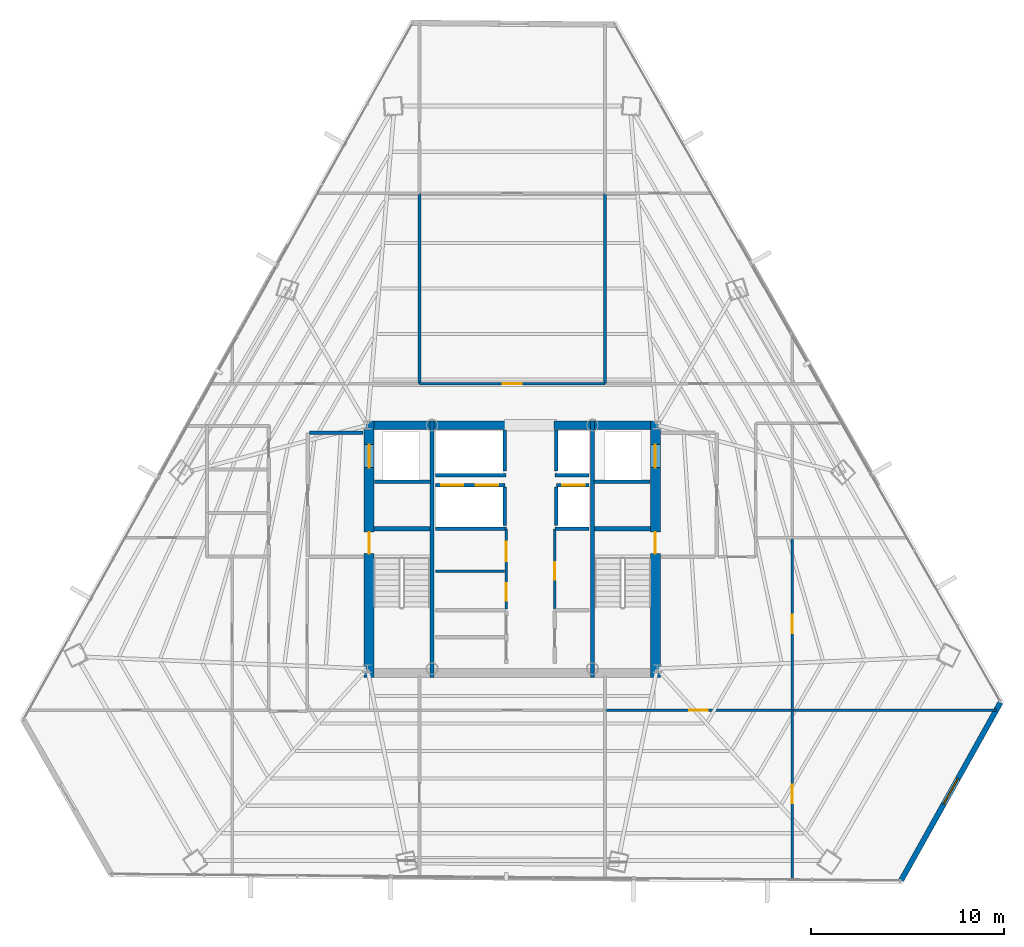
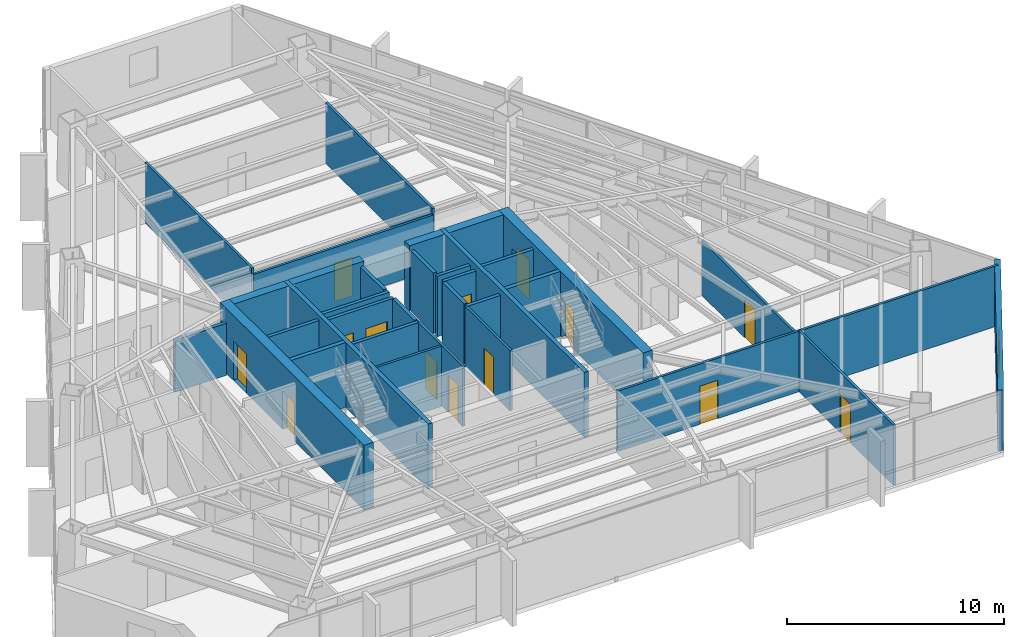
# One storey, part 34 of 38: 34 walls, 14 doors, 1 window, 15 openings.
"""IFC4 building model written with IfcOpenShell, lengths in metres."""

from ifc_helpers import new_model, si_unit, direction, frame, frame_2d, origin, place, context, subcontext, project, spatial, rectangle, extrude, material, layer, layer_set, type_object, element, fill, save


model = new_model("IFC4")

# Units and contexts
model_context = context("Model", 3, precision=1e-05, world=origin(), true_north=direction((0.0, 1.0)))
body_context = subcontext(model_context, "Body", "Model", "MODEL_VIEW")
ifc_project = project(units=[si_unit("LENGTHUNIT", "METRE"), si_unit("AREAUNIT", "SQUARE_METRE"), si_unit("VOLUMEUNIT", "CUBIC_METRE"), si_unit("PLANEANGLEUNIT", "RADIAN"), si_unit("MASSUNIT", "GRAM", prefix="KILO")], contexts=[model_context])

# Site, building, storey
site_placement = place(None, origin())
site = spatial("IfcSite", under=ifc_project, at=site_placement, CompositionType="ELEMENT")
building_placement = place(site_placement, origin())
building = spatial("IfcBuilding", under=site, at=building_placement, Name="Caelisora Broadcast Tower", CompositionType="ELEMENT")
storey_placement = place(building_placement, frame((0.0, 0.0, 158.5)))
storey = spatial("IfcBuildingStorey", under=building, at=storey_placement, Name="L41", CompositionType="ELEMENT", Elevation=158.5)

# Wall, openings, doors
ifc_material_1 = material(Name="Concrete 50 MPa (AS 3600 S50)", Category="concrete")
ifc_layer_1 = layer(ifc_material_1, 0.5, Name="Concrete 50 MPa (AS 3600 S50)")
ifc_layer_set_1 = layer_set([ifc_layer_1], Name="Concrete 50 MPa (AS 3600 S50)")
wall_type_1 = type_object("IfcWallType", Name="CW2", PredefinedType="SHEAR", material=ifc_layer_set_1)
wall_1_placement = place(storey_placement, frame((30.590087890625, 16.949951171875, 0.0), z_axis=(0.0, 0.0, 1.0), x_axis=(0.0, 1.0, 0.0)))
wall_1 = element("IfcWall", 1, at=wall_1_placement, inside=storey, type_object=wall_type_1, Name="L41 core shear wall CW2", PredefinedType="SHEAR", context=body_context, shape_type="SweptSolid", body=[
    extrude(rectangle(XDim=13.275146484375, YDim=0.5, at=frame_2d((6.6376953125, 0.0))), origin(), (0.0, 0.0, 1.0), 3.64990234375),
])
opening_1_placement = place(wall_1_placement, frame((6.39990234375, 0.0, 0.0)))
opening_1 = element("IfcOpeningElement", 2, at=opening_1_placement, cuts=wall_1, Name="Opening FD04", PredefinedType="OPENING", context=body_context, shape_type="SweptSolid", body=[
    extrude(rectangle(XDim=1.1201171875, YDim=2.14990234375, at=frame_2d((0.56005859375, 1.074951171875))), frame((0.0, 0.261962890625, 0.0), z_axis=(0.0, -1.0, 0.0), x_axis=(1.0, 0.0, 0.0)), (0.0, 0.0, 1.0), 0.52392578125),
])
opening_2_placement = place(wall_1_placement, frame((10.85009765625, 0.0, 0.0)))
opening_2 = element("IfcOpeningElement", 3, at=opening_2_placement, cuts=wall_1, Name="Opening LD04", PredefinedType="OPENING", context=body_context, shape_type="SweptSolid", body=[
    extrude(rectangle(XDim=1.199951171875, YDim=2.199951171875, at=frame_2d((0.60009765625, 1.10009765625))), frame((0.0, 0.261962890625, 0.0), z_axis=(0.0, -1.0, 0.0), x_axis=(1.0, 0.0, 0.0)), (0.0, 0.0, 1.0), 0.52392578125),
])
ifc_material_2 = material(Name="Pressurised Fire-Isolated Stair Door", Category="steel")
door_type_1 = type_object("IfcDoorType", Name="FD04", OperationType="NOTDEFINED", PredefinedType="DOOR", material=ifc_material_2)
door_1_placement = place(opening_1_placement, origin())
door_1 = element("IfcDoor", 4, at=door_1_placement, inside=storey, type_object=door_type_1, Name="L41 door FD04 (L41-DR-ST1)", OperationType="SINGLE_SWING_LEFT", OverallHeight=2.14990234375, OverallWidth=1.1201171875, PredefinedType="DOOR", context=body_context, shape_type="SweptSolid", body=[
    extrude(rectangle(XDim=1.1201171875, YDim=2.14990234375, at=frame_2d((0.56005859375, 1.074951171875))), frame((0.0, 0.02490234375, 0.0), z_axis=(0.0, -1.0, 0.0), x_axis=(1.0, 0.0, 0.0)), (0.0, 0.0, 1.0), 0.050048828125),
])
fill(opening_1, door_1)
ifc_material_3 = material(Name="Emergency Firefighting Lift Sliding Landing Door", Category="steel")
door_type_2 = type_object("IfcDoorType", Name="LD04", OperationType="NOTDEFINED", PredefinedType="DOOR", material=ifc_material_3)
door_2_placement = place(opening_2_placement, origin())
door_2 = element("IfcDoor", 5, at=door_2_placement, inside=storey, type_object=door_type_2, Name="L41 door LD04 (L41-LD-FFL1)", OperationType="SLIDING_TO_LEFT", OverallHeight=2.199951171875, OverallWidth=1.199951171875, PredefinedType="DOOR", context=body_context, shape_type="SweptSolid", body=[
    extrude(rectangle(XDim=1.199951171875, YDim=2.199951171875, at=frame_2d((0.60009765625, 1.10009765625))), frame((0.0, 0.02490234375, 0.0), z_axis=(0.0, -1.0, 0.0), x_axis=(1.0, 0.0, 0.0)), (0.0, 0.0, 1.0), 0.050048828125),
])
fill(opening_2, door_2)

wall_2_placement = place(storey_placement, frame((45.409912109375, 16.949951171875, 0.0), z_axis=(0.0, 0.0, 1.0), x_axis=(0.0, 1.0, 0.0)))
wall_2 = element("IfcWall", 6, at=wall_2_placement, inside=storey, type_object=wall_type_1, Name="L41 core shear wall CW2", PredefinedType="SHEAR", context=body_context, shape_type="SweptSolid", body=[
    extrude(rectangle(XDim=13.275146484375, YDim=0.5, at=frame_2d((6.6376953125, 0.0))), origin(), (0.0, 0.0, 1.0), 3.64990234375),
])
opening_3_placement = place(wall_2_placement, frame((6.39990234375, 0.0, 0.0)))
opening_3 = element("IfcOpeningElement", 7, at=opening_3_placement, cuts=wall_2, Name="Opening FD04", PredefinedType="OPENING", context=body_context, shape_type="SweptSolid", body=[
    extrude(rectangle(XDim=1.1201171875, YDim=2.14990234375, at=frame_2d((0.56005859375, 1.074951171875))), frame((0.0, 0.261962890625, 0.0), z_axis=(0.0, -1.0, 0.0), x_axis=(1.0, 0.0, 0.0)), (0.0, 0.0, 1.0), 0.52392578125),
])
opening_4_placement = place(wall_2_placement, frame((10.85009765625, 0.0, 0.0)))
opening_4 = element("IfcOpeningElement", 8, at=opening_4_placement, cuts=wall_2, Name="Opening LD04", PredefinedType="OPENING", context=body_context, shape_type="SweptSolid", body=[
    extrude(rectangle(XDim=1.199951171875, YDim=2.199951171875, at=frame_2d((0.60009765625, 1.10009765625))), frame((0.0, 0.261962890625, 0.0), z_axis=(0.0, -1.0, 0.0), x_axis=(1.0, 0.0, 0.0)), (0.0, 0.0, 1.0), 0.52392578125),
])
door_3_placement = place(opening_3_placement, origin())
door_3 = element("IfcDoor", 9, at=door_3_placement, inside=storey, type_object=door_type_1, Name="L41 door FD04 (L41-DR-ST2)", OperationType="SINGLE_SWING_RIGHT", OverallHeight=2.14990234375, OverallWidth=1.1201171875, PredefinedType="DOOR", context=body_context, shape_type="SweptSolid", body=[
    extrude(rectangle(XDim=1.1201171875, YDim=2.14990234375, at=frame_2d((0.56005859375, 1.074951171875))), frame((0.0, 0.02490234375, 0.0), z_axis=(0.0, -1.0, 0.0), x_axis=(1.0, 0.0, 0.0)), (0.0, 0.0, 1.0), 0.050048828125),
])
fill(opening_3, door_3)
door_4_placement = place(opening_4_placement, origin())
door_4 = element("IfcDoor", 10, at=door_4_placement, inside=storey, type_object=door_type_2, Name="L41 door LD04 (L41-LD-FFL2)", OperationType="SLIDING_TO_RIGHT", OverallHeight=2.199951171875, OverallWidth=1.199951171875, PredefinedType="DOOR", context=body_context, shape_type="SweptSolid", body=[
    extrude(rectangle(XDim=1.199951171875, YDim=2.199951171875, at=frame_2d((0.60009765625, 1.10009765625))), frame((0.0, 0.02490234375, 0.0), z_axis=(0.0, -1.0, 0.0), x_axis=(1.0, 0.0, 0.0)), (0.0, 0.0, 1.0), 0.050048828125),
])
fill(opening_4, door_4)

# Walls
ifc_layer_2 = layer(ifc_material_1, 0.449951171875, Name="Concrete 50 MPa (AS 3600 S50)")
ifc_layer_set_2 = layer_set([ifc_layer_2], Name="Concrete 50 MPa (AS 3600 S50)")
wall_type_2 = type_object("IfcWallType", Name="CW5", PredefinedType="SHEAR", material=ifc_layer_set_2)
wall_3_placement = place(storey_placement, frame((30.840087890625, 30.0, 0.0), z_axis=(0.0, 0.0, 1.0), x_axis=(1.0, 0.0, 0.0)))
element("IfcWall", 11, at=wall_3_placement, inside=storey, type_object=wall_type_2, Name="L41 core shear wall CW5", PredefinedType="SHEAR", context=body_context, shape_type="SweptSolid", body=[
    extrude(rectangle(XDim=2.89990234375, YDim=0.449951171875, at=frame_2d((1.449951171875, 0.0))), origin(), (0.0, 0.0, 1.0), 3.64990234375),
])
wall_4_placement = place(storey_placement, frame((33.9599609375, 30.0, 0.0), z_axis=(0.0, 0.0, 1.0), x_axis=(1.0, 0.0, 0.0)))
element("IfcWall", 12, at=wall_4_placement, inside=storey, type_object=wall_type_2, Name="L41 core shear wall CW5", PredefinedType="SHEAR", context=body_context, shape_type="SweptSolid", body=[
    extrude(rectangle(XDim=3.780029296875, YDim=0.449951171875, at=frame_2d((1.89013671875, 0.0))), origin(), (0.0, 0.0, 1.0), 3.64990234375),
])
wall_5_placement = place(storey_placement, frame((40.159912109375, 30.0, 0.0), z_axis=(0.0, 0.0, 1.0), x_axis=(1.0, 0.0, 0.0)))
element("IfcWall", 13, at=wall_5_placement, inside=storey, type_object=wall_type_2, Name="L41 core shear wall CW5", PredefinedType="SHEAR", context=body_context, shape_type="SweptSolid", body=[
    extrude(rectangle(XDim=1.880126953125, YDim=0.449951171875, at=frame_2d((0.93994140625, 0.0))), origin(), (0.0, 0.0, 1.0), 3.64990234375),
])
wall_6_placement = place(storey_placement, frame((42.260009765625, 30.0, 0.0), z_axis=(0.0, 0.0, 1.0), x_axis=(1.0, 0.0, 0.0)))
element("IfcWall", 14, at=wall_6_placement, inside=storey, type_object=wall_type_2, Name="L41 core shear wall CW5", PredefinedType="SHEAR", context=body_context, shape_type="SweptSolid", body=[
    extrude(rectangle(XDim=2.89990234375, YDim=0.449951171875, at=frame_2d((1.449951171875, 0.0))), origin(), (0.0, 0.0, 1.0), 3.64990234375),
])
ifc_layer_3 = layer(ifc_material_1, 0.219970703125, Name="Concrete 50 MPa (AS 3600 S50)")
ifc_layer_set_3 = layer_set([ifc_layer_3], Name="Concrete 50 MPa (AS 3600 S50)")
wall_type_3 = type_object("IfcWallType", Name="CW7", PredefinedType="SHEAR", material=ifc_layer_set_3)
for number, where, z_axis, x_axis, name in (
    (15, (33.85009765625, 16.949951171875, 0.0), (0.0, 0.0, 1.0), (0.0, 1.0, 0.0), "L41 core shear wall CW7"),
    (16, (42.14990234375, 16.949951171875, 0.0), (0.0, 0.0, 1.0), (0.0, 1.0, 0.0), "L41 core shear wall CW7"),
):
    element("IfcWall", number, at=place(storey_placement, frame(where, z_axis=z_axis, x_axis=x_axis)), inside=storey, type_object=wall_type_3, Name=name, PredefinedType="SHEAR", context=body_context, shape_type="SweptSolid", body=[
        extrude(rectangle(XDim=13.275146484375, YDim=0.219970703125, at=frame_2d((6.6376953125, 0.0))), origin(), (0.0, 0.0, 1.0), 3.64990234375),
    ])
for number, where, z_axis, x_axis, name in (
    (17, (30.840087890625, 24.639892578125, 0.0), (0.0, 0.0, 1.0), (1.0, 0.0, 0.0), "L41 core shear wall CW7"),
    (18, (42.260009765625, 24.639892578125, 0.0), (0.0, 0.0, 1.0), (1.0, 0.0, 0.0), "L41 core shear wall CW7"),
):
    element("IfcWall", number, at=place(storey_placement, frame(where, z_axis=z_axis, x_axis=x_axis)), inside=storey, type_object=wall_type_3, Name=name, PredefinedType="SHEAR", context=body_context, shape_type="SweptSolid", body=[
        extrude(rectangle(XDim=2.89990234375, YDim=0.219970703125, at=frame_2d((1.449951171875, 0.0))), origin(), (0.0, 0.0, 1.0), 3.64990234375),
    ])

# Wall, opening, window
ifc_material_4 = material(Name="Insulated Terracotta Spandrel Wall System", Category="masonry")
ifc_layer_4 = layer(ifc_material_4, 0.280029296875, Name="Insulated Terracotta Spandrel Wall System")
ifc_layer_set_4 = layer_set([ifc_layer_4], Name="Insulated Terracotta Spandrel Wall System")
wall_type_4 = type_object("IfcWallType", Name="EW1", PredefinedType="STANDARD", material=ifc_layer_set_4)
wall_7_placement = place(storey_placement, frame((63.262451171875, 15.642822265625, 0.0), z_axis=(0.0, 0.0, 1.0), x_axis=(-0.487690311743, -0.873016700775, 0.0)))
wall_7 = element("IfcWall", 19, at=wall_7_placement, inside=storey, type_object=wall_type_4, Name="L41 exterior envelope wall EW1", PredefinedType="STANDARD", context=body_context, shape_type="SweptSolid", body=[
    extrude(rectangle(XDim=10.522705078125, YDim=0.280029296875, at=frame_2d((5.26123046875, 0.0))), origin(), (0.0, 0.0, 1.0), 3.39990234375),
])
opening_5_placement = place(wall_7_placement, frame((4.510009765625, 0.0, 0.89990234375)))
opening_5 = element("IfcOpeningElement", 20, at=opening_5_placement, cuts=wall_7, Name="Opening W02", PredefinedType="OPENING", context=body_context, shape_type="SweptSolid", body=[
    extrude(rectangle(XDim=1.5, YDim=1.800048828125, at=frame_2d((0.75, 0.89990234375))), frame((0.0, 0.152099609375, 0.0), z_axis=(0.0, -1.0, 0.0), x_axis=(1.0, 0.0, 0.0)), (0.0, 0.0, 1.0), 0.303955078125),
])
ifc_material_5 = material(Name="Double Glazed Terracotta-Framed Vision Window", Category="glass")
window_type = type_object("IfcWindowType", Name="W02", PartitioningType="SINGLE_PANEL", PredefinedType="WINDOW", material=ifc_material_5)
window_placement = place(opening_5_placement, origin())
window = element("IfcWindow", 21, at=window_placement, inside=storey, type_object=window_type, Name="L41 window W02 (L41-WN-CH0)", OverallHeight=1.800048828125, OverallWidth=1.5, PartitioningType="SINGLE_PANEL", PredefinedType="WINDOW", context=body_context, shape_type="SweptSolid", body=[
    extrude(rectangle(XDim=1.5, YDim=1.800048828125, at=frame_2d((0.75, 0.89990234375))), frame((0.0, 0.030029296875, 0.0), z_axis=(0.0, -1.0, 0.0), x_axis=(1.0, 0.0, 0.0)), (0.0, 0.0, 1.0), 0.06005859375),
])
fill(opening_5, window)

# Wall, openings, doors
ifc_material_6 = material(Name="Fire-Rated Gypsum Shaft and Compartment Wall", Category="gypsum")
ifc_layer_5 = layer(ifc_material_6, 0.179931640625, Name="Fire-Rated Gypsum Shaft and Compartment Wall")
ifc_layer_set_5 = layer_set([ifc_layer_5], Name="Fire-Rated Gypsum Shaft and Compartment Wall")
wall_type_5 = type_object("IfcWallType", Name="PW2", PredefinedType="PARTITIONING", material=ifc_layer_set_5)
wall_8_placement = place(storey_placement, frame((34.02001953125, 26.89990234375, 0.0), z_axis=(0.0, 0.0, 1.0), x_axis=(1.0, 0.0, 0.0)))
wall_8 = element("IfcWall", 22, at=wall_8_placement, inside=storey, type_object=wall_type_5, Name="L41 fire compartment wall PW2", PredefinedType="PARTITIONING", context=body_context, shape_type="SweptSolid", body=[
    extrude(rectangle(XDim=3.60009765625, YDim=0.179931640625, at=frame_2d((1.800048828125, 0.0))), origin(), (0.0, 0.0, 1.0), 3.39990234375),
])
opening_6_placement = place(wall_8_placement, frame((0.300048828125, 0.0, 0.0)))
opening_6 = element("IfcOpeningElement", 23, at=opening_6_placement, cuts=wall_8, Name="Opening LD02", PredefinedType="OPENING", context=body_context, shape_type="SweptSolid", body=[
    extrude(rectangle(XDim=1.14990234375, YDim=2.199951171875, at=frame_2d((0.574951171875, 1.10009765625))), frame((0.0, 0.10205078125, 0.0), z_axis=(0.0, -1.0, 0.0), x_axis=(1.0, 0.0, 0.0)), (0.0, 0.0, 1.0), 0.203857421875),
])
opening_7_placement = place(wall_8_placement, frame((2.10009765625, 0.0, 0.0)))
opening_7 = element("IfcOpeningElement", 24, at=opening_7_placement, cuts=wall_8, Name="Opening LD02", PredefinedType="OPENING", context=body_context, shape_type="SweptSolid", body=[
    extrude(rectangle(XDim=1.14990234375, YDim=2.199951171875, at=frame_2d((0.574951171875, 1.10009765625))), frame((0.0, 0.10205078125, 0.0), z_axis=(0.0, -1.0, 0.0), x_axis=(1.0, 0.0, 0.0)), (0.0, 0.0, 1.0), 0.203857421875),
])
ifc_material_7 = material(Name="High-Speed Express Lift Sliding Landing Door", Category="steel")
door_type_3 = type_object("IfcDoorType", Name="LD02", OperationType="NOTDEFINED", PredefinedType="DOOR", material=ifc_material_7)
door_5_placement = place(opening_6_placement, origin())
door_5 = element("IfcDoor", 25, at=door_5_placement, inside=storey, type_object=door_type_3, Name="L41 door LD02 (L41-LD-PLM1)", OperationType="SLIDING_TO_LEFT", OverallHeight=2.199951171875, OverallWidth=1.14990234375, PredefinedType="DOOR", context=body_context, shape_type="SweptSolid", body=[
    extrude(rectangle(XDim=1.14990234375, YDim=2.199951171875, at=frame_2d((0.574951171875, 1.10009765625))), frame((0.0, 0.02490234375, 0.0), z_axis=(0.0, -1.0, 0.0), x_axis=(1.0, 0.0, 0.0)), (0.0, 0.0, 1.0), 0.050048828125),
])
fill(opening_6, door_5)
door_6_placement = place(opening_7_placement, origin())
door_6 = element("IfcDoor", 26, at=door_6_placement, inside=storey, type_object=door_type_3, Name="L41 door LD02 (L41-LD-PLM2)", OperationType="SLIDING_TO_RIGHT", OverallHeight=2.199951171875, OverallWidth=1.14990234375, PredefinedType="DOOR", context=body_context, shape_type="SweptSolid", body=[
    extrude(rectangle(XDim=1.14990234375, YDim=2.199951171875, at=frame_2d((0.574951171875, 1.10009765625))), frame((0.0, 0.02490234375, 0.0), z_axis=(0.0, -1.0, 0.0), x_axis=(1.0, 0.0, 0.0)), (0.0, 0.0, 1.0), 0.050048828125),
])
fill(opening_7, door_6)

# Wall, opening, door
wall_9_placement = place(storey_placement, frame((40.280029296875, 26.89990234375, 0.0), z_axis=(0.0, 0.0, 1.0), x_axis=(1.0, 0.0, 0.0)))
wall_9 = element("IfcWall", 27, at=wall_9_placement, inside=storey, type_object=wall_type_5, Name="L41 fire compartment wall PW2", PredefinedType="PARTITIONING", context=body_context, shape_type="SweptSolid", body=[
    extrude(rectangle(XDim=1.699951171875, YDim=0.179931640625, at=frame_2d((0.85009765625, 0.0))), origin(), (0.0, 0.0, 1.0), 3.39990234375),
])
opening_8_placement = place(wall_9_placement, frame((0.320068359375, 0.0, 0.0)))
opening_8 = element("IfcOpeningElement", 28, at=opening_8_placement, cuts=wall_9, Name="Opening LD02", PredefinedType="OPENING", context=body_context, shape_type="SweptSolid", body=[
    extrude(rectangle(XDim=1.14990234375, YDim=2.199951171875, at=frame_2d((0.574951171875, 1.10009765625))), frame((0.0, 0.10205078125, 0.0), z_axis=(0.0, -1.0, 0.0), x_axis=(1.0, 0.0, 0.0)), (0.0, 0.0, 1.0), 0.203857421875),
])
door_7_placement = place(opening_8_placement, origin())
door_7 = element("IfcDoor", 29, at=door_7_placement, inside=storey, type_object=door_type_3, Name="L41 door LD02 (L41-LD-PLM3)", OperationType="SLIDING_TO_LEFT", OverallHeight=2.199951171875, OverallWidth=1.14990234375, PredefinedType="DOOR", context=body_context, shape_type="SweptSolid", body=[
    extrude(rectangle(XDim=1.14990234375, YDim=2.199951171875, at=frame_2d((0.574951171875, 1.10009765625))), frame((0.0, 0.02490234375, 0.0), z_axis=(0.0, -1.0, 0.0), x_axis=(1.0, 0.0, 0.0)), (0.0, 0.0, 1.0), 0.050048828125),
])
fill(opening_8, door_7)

# Walls
for number, where, z_axis, x_axis, name in (
    (30, (37.6201171875, 24.800048828125, 0.0), (0.0, 0.0, 1.0), (0.0, 1.0, 0.0), "L41 fire compartment wall PW2"),
    (31, (40.280029296875, 24.800048828125, 0.0), (0.0, 0.0, 1.0), (0.0, 1.0, 0.0), "L41 fire compartment wall PW2"),
):
    element("IfcWall", number, at=place(storey_placement, frame(where, z_axis=z_axis, x_axis=x_axis)), inside=storey, type_object=wall_type_5, Name=name, PredefinedType="PARTITIONING", context=body_context, shape_type="SweptSolid", body=[
        extrude(rectangle(XDim=2.0, YDim=0.179931640625, at=frame_2d((1.0, 0.0))), origin(), (0.0, 0.0, 1.0), 3.39990234375),
    ])
wall_10_placement = place(storey_placement, frame((34.02001953125, 24.639892578125, 0.0), z_axis=(0.0, 0.0, 1.0), x_axis=(1.0, 0.0, 0.0)))
element("IfcWall", 32, at=wall_10_placement, inside=storey, type_object=wall_type_5, Name="L41 fire compartment wall PW2", PredefinedType="PARTITIONING", context=body_context, shape_type="SweptSolid", body=[
    extrude(rectangle(XDim=3.679931640625, YDim=0.179931640625, at=frame_2d((1.83984375, 0.0))), origin(), (0.0, 0.0, 1.0), 3.39990234375),
])
wall_11_placement = place(storey_placement, frame((40.199951171875, 24.639892578125, 0.0), z_axis=(0.0, 0.0, 1.0), x_axis=(1.0, 0.0, 0.0)))
element("IfcWall", 33, at=wall_11_placement, inside=storey, type_object=wall_type_5, Name="L41 fire compartment wall PW2", PredefinedType="PARTITIONING", context=body_context, shape_type="SweptSolid", body=[
    extrude(rectangle(XDim=1.780029296875, YDim=0.179931640625, at=frame_2d((0.89013671875, 0.0))), origin(), (0.0, 0.0, 1.0), 3.39990234375),
])
wall_12_placement = place(storey_placement, frame((34.02001953125, 27.419921875, 0.0), z_axis=(0.0, 0.0, 1.0), x_axis=(1.0, 0.0, 0.0)))
element("IfcWall", 34, at=wall_12_placement, inside=storey, type_object=wall_type_5, Name="L41 fire compartment wall PW2", PredefinedType="PARTITIONING", context=body_context, shape_type="SweptSolid", body=[
    extrude(rectangle(XDim=3.659912109375, YDim=0.179931640625, at=frame_2d((1.830078125, 0.0))), origin(), (0.0, 0.0, 1.0), 3.39990234375),
])
wall_13_placement = place(storey_placement, frame((40.219970703125, 27.419921875, 0.0), z_axis=(0.0, 0.0, 1.0), x_axis=(1.0, 0.0, 0.0)))
element("IfcWall", 35, at=wall_13_placement, inside=storey, type_object=wall_type_5, Name="L41 fire compartment wall PW2", PredefinedType="PARTITIONING", context=body_context, shape_type="SweptSolid", body=[
    extrude(rectangle(XDim=1.760009765625, YDim=0.179931640625, at=frame_2d((0.8798828125, 0.0))), origin(), (0.0, 0.0, 1.0), 3.39990234375),
])
for number, where, z_axis, x_axis, name in (
    (36, (37.6201171875, 27.639892578125, 0.0), (0.0, 0.0, 1.0), (0.0, 1.0, 0.0), "L41 fire compartment wall PW2"),
    (37, (40.280029296875, 27.639892578125, 0.0), (0.0, 0.0, 1.0), (0.0, 1.0, 0.0), "L41 fire compartment wall PW2"),
):
    element("IfcWall", number, at=place(storey_placement, frame(where, z_axis=z_axis, x_axis=x_axis)), inside=storey, type_object=wall_type_5, Name=name, PredefinedType="PARTITIONING", context=body_context, shape_type="SweptSolid", body=[
        extrude(rectangle(XDim=2.110107421875, YDim=0.179931640625, at=frame_2d((1.05517578125, 0.0))), origin(), (0.0, 0.0, 1.0), 3.39990234375),
    ])
wall_14_placement = place(storey_placement, frame((27.52001953125, 29.60009765625, 0.0), z_axis=(0.0, 0.0, 1.0), x_axis=(1.0, 0.0, 0.0)))
element("IfcWall", 38, at=wall_14_placement, inside=storey, type_object=wall_type_5, Name="L41 fire compartment wall PW2", PredefinedType="PARTITIONING", context=body_context, shape_type="SweptSolid", body=[
    extrude(rectangle(XDim=2.760009765625, YDim=0.179931640625, at=frame_2d((1.3798828125, 0.0))), origin(), (0.0, 0.0, 1.0), 2.924560546875),
])
for number, where, z_axis, x_axis, name in (
    (39, (30.860107421875, 27.070068359375, 0.0), (0.0, 0.0, 1.0), (1.0, 0.0, 0.0), "L41 fire compartment wall PW2"),
    (40, (42.239990234375, 27.070068359375, 0.0), (0.0, 0.0, 1.0), (1.0, 0.0, 0.0), "L41 fire compartment wall PW2"),
):
    element("IfcWall", number, at=place(storey_placement, frame(where, z_axis=z_axis, x_axis=x_axis)), inside=storey, type_object=wall_type_5, Name=name, PredefinedType="PARTITIONING", context=body_context, shape_type="SweptSolid", body=[
        extrude(rectangle(XDim=2.89990234375, YDim=0.179931640625, at=frame_2d((1.449951171875, 0.0))), origin(), (0.0, 0.0, 1.0), 3.39990234375),
    ])
ifc_material_8 = material(Name="Acoustic Steel-Stud Plasterboard Partition", Category="gypsum")
ifc_layer_6 = layer(ifc_material_8, 0.1298828125, Name="Acoustic Steel-Stud Plasterboard Partition")
ifc_layer_set_6 = layer_set([ifc_layer_6], Name="Acoustic Steel-Stud Plasterboard Partition")
wall_type_6 = type_object("IfcWallType", Name="PW3", PredefinedType="PARTITIONING", material=ifc_layer_set_6)
wall_15_placement = place(storey_placement, frame((34.02001953125, 22.449951171875, 0.0), z_axis=(0.0, 0.0, 1.0), x_axis=(1.0, 0.0, 0.0)))
element("IfcWall", 41, at=wall_15_placement, inside=storey, type_object=wall_type_6, Name="L41 internal partition PW3", PredefinedType="PARTITIONING", context=body_context, shape_type="SweptSolid", body=[
    extrude(rectangle(XDim=3.580078125, YDim=0.1298828125, at=frame_2d((1.7900390625, 0.0))), origin(), (0.0, 0.0, 1.0), 3.39990234375),
])

# Wall, openings, doors
wall_16_placement = place(storey_placement, frame((37.679931640625, 20.5, 0.0), z_axis=(0.0, 0.0, 1.0), x_axis=(0.0, 1.0, 0.0)))
wall_16 = element("IfcWall", 42, at=wall_16_placement, inside=storey, type_object=wall_type_6, Name="L41 internal partition PW3", PredefinedType="PARTITIONING", context=body_context, shape_type="SweptSolid", body=[
    extrude(rectangle(XDim=4.139892578125, YDim=0.1298828125, at=frame_2d((2.06982421875, 0.0))), origin(), (0.0, 0.0, 1.0), 3.39990234375),
])
opening_9_placement = place(wall_16_placement, frame((0.419921875, 0.0, 0.0)))
opening_9 = element("IfcOpeningElement", 43, at=opening_9_placement, cuts=wall_16, Name="Opening FD03", PredefinedType="OPENING", context=body_context, shape_type="SweptSolid", body=[
    extrude(rectangle(XDim=0.89990234375, YDim=2.10009765625, at=frame_2d((0.449951171875, 1.050048828125))), frame((0.0, 0.076904296875, 0.0), z_axis=(0.0, -1.0, 0.0), x_axis=(1.0, 0.0, 0.0)), (0.0, 0.0, 1.0), 0.15380859375),
])
opening_10_placement = place(wall_16_placement, frame((2.449951171875, 0.0, 0.0)))
opening_10 = element("IfcOpeningElement", 44, at=opening_10_placement, cuts=wall_16, Name="Opening D02", PredefinedType="OPENING", context=body_context, shape_type="SweptSolid", body=[
    extrude(rectangle(XDim=1.02001953125, YDim=2.14990234375, at=frame_2d((0.510009765625, 1.074951171875))), frame((0.0, 0.076904296875, 0.0), z_axis=(0.0, -1.0, 0.0), x_axis=(1.0, 0.0, 0.0)), (0.0, 0.0, 1.0), 0.15380859375),
])
ifc_material_9 = material(Name="Solid-Core Timber Archive Suite Door", Category="wood")
door_type_4 = type_object("IfcDoorType", Name="D02", OperationType="NOTDEFINED", PredefinedType="DOOR", material=ifc_material_9)
door_8_placement = place(opening_10_placement, origin())
door_8 = element("IfcDoor", 45, at=door_8_placement, inside=storey, type_object=door_type_4, Name="L41 door D02 (L41-DR-P12D2)", OperationType="SINGLE_SWING_RIGHT", OverallHeight=2.14990234375, OverallWidth=1.02001953125, PredefinedType="DOOR", context=body_context, shape_type="SweptSolid", body=[
    extrude(rectangle(XDim=1.02001953125, YDim=2.14990234375, at=frame_2d((0.510009765625, 1.074951171875))), frame((0.0, 0.02490234375, 0.0), z_axis=(0.0, -1.0, 0.0), x_axis=(1.0, 0.0, 0.0)), (0.0, 0.0, 1.0), 0.050048828125),
])
fill(opening_10, door_8)
ifc_material_10 = material(Name="Single-Leaf Steel Riser Fire Access Door", Category="steel")
door_type_5 = type_object("IfcDoorType", Name="FD03", OperationType="NOTDEFINED", PredefinedType="DOOR", material=ifc_material_10)
door_9_placement = place(opening_9_placement, origin())
door_9 = element("IfcDoor", 46, at=door_9_placement, inside=storey, type_object=door_type_5, Name="L41 door FD03 (L41-DR-P12D1)", OperationType="SINGLE_SWING_LEFT", OverallHeight=2.10009765625, OverallWidth=0.89990234375, PredefinedType="DOOR", context=body_context, shape_type="SweptSolid", body=[
    extrude(rectangle(XDim=0.89990234375, YDim=2.10009765625, at=frame_2d((0.449951171875, 1.050048828125))), frame((0.0, 0.02490234375, 0.0), z_axis=(0.0, -1.0, 0.0), x_axis=(1.0, 0.0, 0.0)), (0.0, 0.0, 1.0), 0.050048828125),
])
fill(opening_9, door_9)

# Wall, opening, door
wall_17_placement = place(storey_placement, frame((40.199951171875, 20.5, 0.0), z_axis=(0.0, 0.0, 1.0), x_axis=(0.0, 1.0, 0.0)))
wall_17 = element("IfcWall", 47, at=wall_17_placement, inside=storey, type_object=wall_type_6, Name="L41 internal partition PW3", PredefinedType="PARTITIONING", context=body_context, shape_type="SweptSolid", body=[
    extrude(rectangle(XDim=4.139892578125, YDim=0.1298828125, at=frame_2d((2.06982421875, 0.0))), origin(), (0.0, 0.0, 1.0), 3.39990234375),
])
opening_11_placement = place(wall_17_placement, frame((1.5, 0.0, 0.0)))
opening_11 = element("IfcOpeningElement", 48, at=opening_11_placement, cuts=wall_17, Name="Opening FD03", PredefinedType="OPENING", context=body_context, shape_type="SweptSolid", body=[
    extrude(rectangle(XDim=0.89990234375, YDim=2.10009765625, at=frame_2d((0.449951171875, 1.050048828125))), frame((0.0, 0.076904296875, 0.0), z_axis=(0.0, -1.0, 0.0), x_axis=(1.0, 0.0, 0.0)), (0.0, 0.0, 1.0), 0.15380859375),
])
door_10_placement = place(opening_11_placement, origin())
door_10 = element("IfcDoor", 49, at=door_10_placement, inside=storey, type_object=door_type_5, Name="L41 door FD03 (L41-DR-P13D1)", OperationType="SINGLE_SWING_LEFT", OverallHeight=2.10009765625, OverallWidth=0.89990234375, PredefinedType="DOOR", context=body_context, shape_type="SweptSolid", body=[
    extrude(rectangle(XDim=0.89990234375, YDim=2.10009765625, at=frame_2d((0.449951171875, 1.050048828125))), frame((0.0, 0.02490234375, 0.0), z_axis=(0.0, -1.0, 0.0), x_axis=(1.0, 0.0, 0.0)), (0.0, 0.0, 1.0), 0.050048828125),
])
fill(opening_11, door_10)

# Walls
wall_18_placement = place(storey_placement, frame((52.5048828125, 15.25, 0.0), z_axis=(0.0, 0.0, 1.0), x_axis=(1.0, 0.0, 0.0)))
element("IfcWall", 50, at=wall_18_placement, inside=storey, type_object=wall_type_6, Name="L41 internal partition PW3", PredefinedType="PARTITIONING", context=body_context, shape_type="SweptSolid", body=[
    extrude(rectangle(XDim=10.54345703125, YDim=0.1298828125, at=frame_2d((5.271728515625, 0.0))), origin(), (0.0, 0.0, 1.0), 3.39990234375),
])
for number, where, z_axis, x_axis, name in (
    (51, (42.800048828125, 32.155029296875, 0.0), (0.0, 0.0, 1.0), (0.0, 1.0, 0.0), "L41 internal partition PW3"),
    (52, (33.199951171875, 32.155029296875, 0.0), (0.0, 0.0, 1.0), (0.0, 1.0, 0.0), "L41 internal partition PW3"),
):
    element("IfcWall", number, at=place(storey_placement, frame(where, z_axis=z_axis, x_axis=x_axis)), inside=storey, type_object=wall_type_6, Name=name, PredefinedType="PARTITIONING", context=body_context, shape_type="SweptSolid", body=[
        extrude(rectangle(XDim=9.840087890625, YDim=0.1298828125, at=frame_2d((4.919921875, 0.0))), origin(), (0.0, 0.0, 1.0), 3.39990234375),
    ])

# Wall, opening, door
wall_19_placement = place(storey_placement, frame((42.804931640625, 15.25, 0.0), z_axis=(0.0, 0.0, 1.0), x_axis=(1.0, 0.0, 0.0)))
wall_19 = element("IfcWall", 53, at=wall_19_placement, inside=storey, type_object=wall_type_6, Name="L41 internal partition PW3", PredefinedType="PARTITIONING", context=body_context, shape_type="SweptSolid", body=[
    extrude(rectangle(XDim=9.690185546875, YDim=0.1298828125, at=frame_2d((4.84521484375, 0.0))), origin(), (0.0, 0.0, 1.0), 3.39990234375),
])
opening_12_placement = place(wall_19_placement, frame((4.364990234375, 0.0, 0.0)))
opening_12 = element("IfcOpeningElement", 54, at=opening_12_placement, cuts=wall_19, Name="Opening D01", PredefinedType="OPENING", context=body_context, shape_type="SweptSolid", body=[
    extrude(rectangle(XDim=0.9599609375, YDim=2.14990234375, at=frame_2d((0.47998046875, 1.074951171875))), frame((0.0, 0.076904296875, 0.0), z_axis=(0.0, -1.0, 0.0), x_axis=(1.0, 0.0, 0.0)), (0.0, 0.0, 1.0), 0.15380859375),
])
ifc_material_11 = material(Name="Solid-Core Timber Acoustic Office Door", Category="wood")
door_type_6 = type_object("IfcDoorType", Name="D01", OperationType="NOTDEFINED", PredefinedType="DOOR", material=ifc_material_11)
door_11_placement = place(opening_12_placement, origin())
door_11 = element("IfcDoor", 55, at=door_11_placement, inside=storey, type_object=door_type_6, Name="L41 door D01 (L41-DR-P37D1)", OperationType="SINGLE_SWING_LEFT", OverallHeight=2.14990234375, OverallWidth=0.9599609375, PredefinedType="DOOR", context=body_context, shape_type="SweptSolid", body=[
    extrude(rectangle(XDim=0.9599609375, YDim=2.14990234375, at=frame_2d((0.47998046875, 1.074951171875))), frame((0.0, 0.02490234375, 0.0), z_axis=(0.0, -1.0, 0.0), x_axis=(1.0, 0.0, 0.0)), (0.0, 0.0, 1.0), 0.050048828125),
])
fill(opening_12, door_11)

wall_20_placement = place(storey_placement, frame((33.205078125, 32.14990234375, 0.0), z_axis=(0.0, 0.0, 1.0), x_axis=(1.0, 0.0, 0.0)))
wall_20 = element("IfcWall", 56, at=wall_20_placement, inside=storey, type_object=wall_type_6, Name="L41 internal partition PW3", PredefinedType="PARTITIONING", context=body_context, shape_type="SweptSolid", body=[
    extrude(rectangle(XDim=9.58984375, YDim=0.1298828125, at=frame_2d((4.794921875, 0.0))), origin(), (0.0, 0.0, 1.0), 3.077880859375),
])
opening_13_placement = place(wall_20_placement, frame((4.31494140625, 0.0, 0.0)))
opening_13 = element("IfcOpeningElement", 57, at=opening_13_placement, cuts=wall_20, Name="Opening D01", PredefinedType="OPENING", context=body_context, shape_type="SweptSolid", body=[
    extrude(rectangle(XDim=0.9599609375, YDim=2.14990234375, at=frame_2d((0.47998046875, 1.074951171875))), frame((0.0, 0.076904296875, 0.0), z_axis=(0.0, -1.0, 0.0), x_axis=(1.0, 0.0, 0.0)), (0.0, 0.0, 1.0), 0.15380859375),
])
door_12_placement = place(opening_13_placement, origin())
door_12 = element("IfcDoor", 58, at=door_12_placement, inside=storey, type_object=door_type_6, Name="L41 door D01 (L41-DR-P38D1)", OperationType="SINGLE_SWING_RIGHT", OverallHeight=2.14990234375, OverallWidth=0.9599609375, PredefinedType="DOOR", context=body_context, shape_type="SweptSolid", body=[
    extrude(rectangle(XDim=0.9599609375, YDim=2.14990234375, at=frame_2d((0.47998046875, 1.074951171875))), frame((0.0, 0.02490234375, 0.0), z_axis=(0.0, -1.0, 0.0), x_axis=(1.0, 0.0, 0.0)), (0.0, 0.0, 1.0), 0.050048828125),
])
fill(opening_13, door_12)

wall_21_placement = place(storey_placement, frame((52.5, 15.2548828125, 0.0), z_axis=(0.0, 0.0, 1.0), x_axis=(0.0, 1.0, 0.0)))
wall_21 = element("IfcWall", 59, at=wall_21_placement, inside=storey, type_object=wall_type_6, Name="L41 internal partition PW3", PredefinedType="PARTITIONING", context=body_context, shape_type="SweptSolid", body=[
    extrude(rectangle(XDim=8.91015625, YDim=0.1298828125, at=frame_2d((4.455078125, 0.0))), origin(), (0.0, 0.0, 1.0), 3.077880859375),
])
opening_14_placement = place(wall_21_placement, frame((3.97509765625, 0.0, 0.0)))
opening_14 = element("IfcOpeningElement", 60, at=opening_14_placement, cuts=wall_21, Name="Opening D01", PredefinedType="OPENING", context=body_context, shape_type="SweptSolid", body=[
    extrude(rectangle(XDim=0.9599609375, YDim=2.14990234375, at=frame_2d((0.47998046875, 1.074951171875))), frame((0.0, 0.076904296875, 0.0), z_axis=(0.0, -1.0, 0.0), x_axis=(1.0, 0.0, 0.0)), (0.0, 0.0, 1.0), 0.15380859375),
])
door_13_placement = place(opening_14_placement, origin())
door_13 = element("IfcDoor", 61, at=door_13_placement, inside=storey, type_object=door_type_6, Name="L41 door D01 (L41-DR-P41D1)", OperationType="SINGLE_SWING_LEFT", OverallHeight=2.14990234375, OverallWidth=0.9599609375, PredefinedType="DOOR", context=body_context, shape_type="SweptSolid", body=[
    extrude(rectangle(XDim=0.9599609375, YDim=2.14990234375, at=frame_2d((0.47998046875, 1.074951171875))), frame((0.0, 0.02490234375, 0.0), z_axis=(0.0, -1.0, 0.0), x_axis=(1.0, 0.0, 0.0)), (0.0, 0.0, 1.0), 0.050048828125),
])
fill(opening_14, door_13)

wall_22_placement = place(storey_placement, frame((52.5, 6.471435546875, 0.0), z_axis=(0.0, 0.0, 1.0), x_axis=(0.0, 1.0, 0.0)))
wall_22 = element("IfcWall", 62, at=wall_22_placement, inside=storey, type_object=wall_type_6, Name="L41 internal partition PW3", PredefinedType="PARTITIONING", context=body_context, shape_type="SweptSolid", body=[
    extrude(rectangle(XDim=8.773681640625, YDim=0.1298828125, at=frame_2d((4.38671875, 0.0))), origin(), (0.0, 0.0, 1.0), 3.39990234375),
])
opening_15_placement = place(wall_22_placement, frame((3.951904296875, 0.0, 0.0)))
opening_15 = element("IfcOpeningElement", 63, at=opening_15_placement, cuts=wall_22, Name="Opening D01", PredefinedType="OPENING", context=body_context, shape_type="SweptSolid", body=[
    extrude(rectangle(XDim=0.9599609375, YDim=2.14990234375, at=frame_2d((0.47998046875, 1.074951171875))), frame((0.0, 0.076904296875, 0.0), z_axis=(0.0, -1.0, 0.0), x_axis=(1.0, 0.0, 0.0)), (0.0, 0.0, 1.0), 0.15380859375),
])
door_14_placement = place(opening_15_placement, origin())
door_14 = element("IfcDoor", 64, at=door_14_placement, inside=storey, type_object=door_type_6, Name="L41 door D01 (L41-DR-P43D1)", OperationType="SINGLE_SWING_LEFT", OverallHeight=2.14990234375, OverallWidth=0.9599609375, PredefinedType="DOOR", context=body_context, shape_type="SweptSolid", body=[
    extrude(rectangle(XDim=0.9599609375, YDim=2.14990234375, at=frame_2d((0.47998046875, 1.074951171875))), frame((0.0, 0.02490234375, 0.0), z_axis=(0.0, -1.0, 0.0), x_axis=(1.0, 0.0, 0.0)), (0.0, 0.0, 1.0), 0.050048828125),
])
fill(opening_15, door_14)

save(model, "model.ifc")
